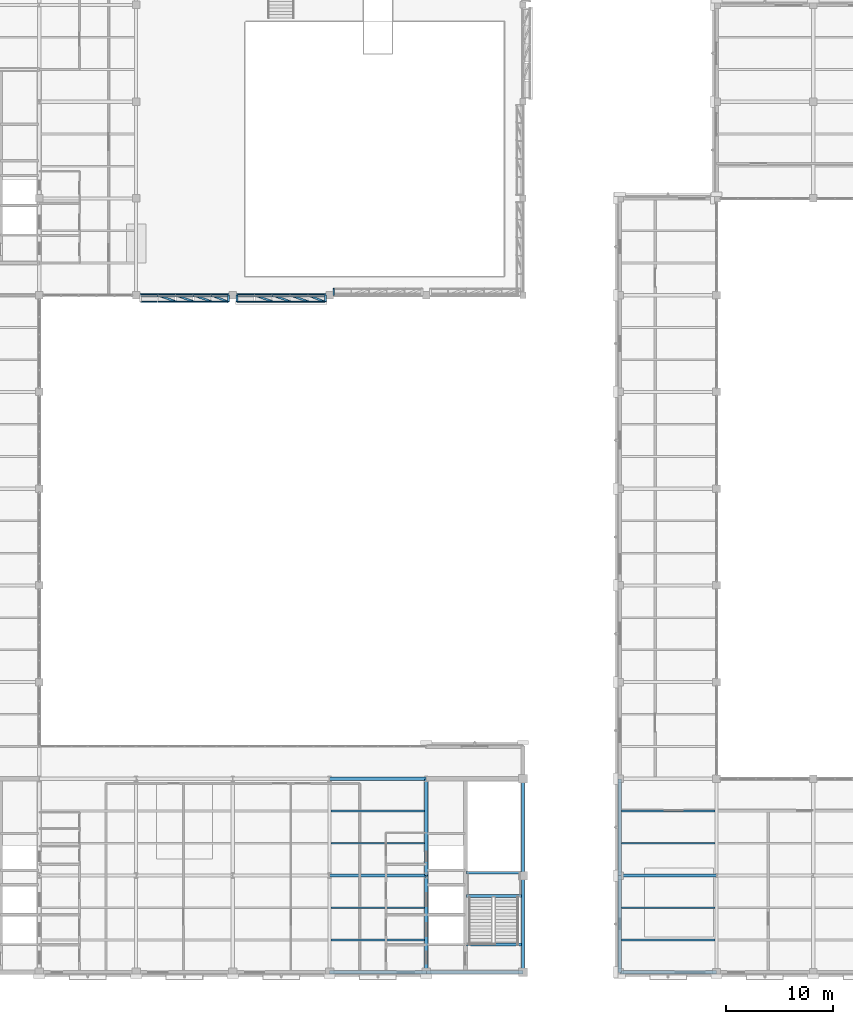
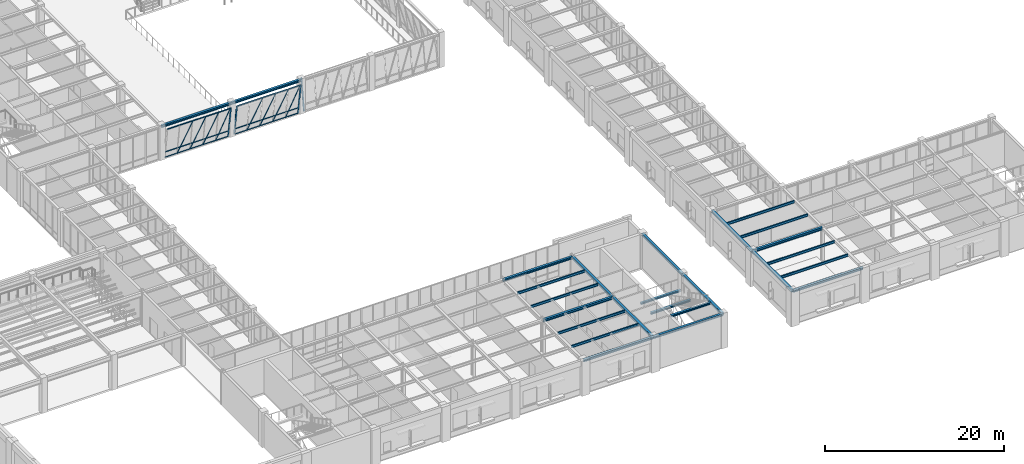
# One storey, part 26 of 98: 42 members, 25 beams, 3 elements without a shape of their own.
"""IFC4 building model written with IfcOpenShell, lengths in metres."""

from ifc_helpers import new_model, si_unit, direction, frame, origin, origin_2d, place, context, subcontext, project, spatial, hollow_rectangle, i_section, extrude, material, material_profile, profile_set, type_object, element, aggregate, save


model = new_model("IFC4")

# Units and contexts
model_context = context("Model", 3, precision=1e-05, world=origin(), true_north=direction((0.0, 1.0)))
body_context = subcontext(model_context, "Body", "Model", "MODEL_VIEW")
ifc_project = project(units=[si_unit("LENGTHUNIT", "METRE"), si_unit("AREAUNIT", "SQUARE_METRE"), si_unit("VOLUMEUNIT", "CUBIC_METRE"), si_unit("PLANEANGLEUNIT", "RADIAN"), si_unit("MASSUNIT", "GRAM", prefix="KILO")], contexts=[model_context])

# Site, building, storey
site_placement = place(None, origin())
site = spatial("IfcSite", under=ifc_project, at=site_placement, CompositionType="ELEMENT")
building_placement = place(site_placement, origin())
building = spatial("IfcBuilding", under=site, at=building_placement, Name="Lykobir Media Centre", CompositionType="ELEMENT")
storey_placement = place(building_placement, frame((0.0, 0.0, 10.199951171875)))
storey = spatial("IfcBuildingStorey", under=building, at=storey_placement, Name="L02", CompositionType="ELEMENT", Elevation=10.199951171875)

# Beams
ifc_material_1 = material(Name="Steel S355", Category="steel")
ifc_material_profile_1 = material_profile(ifc_material_1, i_section(OverallWidth=0.300048828125, OverallDepth=0.330078125, WebThickness=0.009521484375, FlangeThickness=0.0166015625, at=origin_2d()), Name="HEA 340")
ifc_profile_set_1 = profile_set([ifc_material_profile_1], Name="Steel S355")
beam_type_1 = type_object("IfcBeamType", Name="BM-HEA340", PredefinedType="BEAM", material=ifc_profile_set_1)
for number, where, z_axis, x_axis, name in (
    (1, (72.0, 0.0, 4.39501953125), (0.0, 1.0, 0.0), (-1.0, 0.0, 0.0), "Beam BM-L02-0720-0000-0720-0090-1460"),
    (2, (72.0, 9.0, 4.39501953125), (0.0, 1.0, 0.0), (-1.0, 0.0, 0.0), "Beam BM-L02-0720-0090-0720-0180-1460"),
):
    element("IfcBeam", number, at=place(storey_placement, frame(where, z_axis=z_axis, x_axis=x_axis)), inside=storey, type_object=beam_type_1, Name=name, PredefinedType="BEAM", context=body_context, shape_type="SweptSolid", body=[
        extrude(i_section(OverallWidth=0.300048828125, OverallDepth=0.330078125, WebThickness=0.009521484375, FlangeThickness=0.0166015625, at=origin_2d()), origin(), (0.0, 0.0, 1.0), 9.0),
    ])
ifc_material_profile_2 = material_profile(ifc_material_1, i_section(OverallWidth=0.300048828125, OverallDepth=0.35009765625, WebThickness=0.010009765625, FlangeThickness=0.017578125, at=origin_2d()), Name="HEA 360")
ifc_profile_set_2 = profile_set([ifc_material_profile_2], Name="Steel S355")
beam_type_2 = type_object("IfcBeamType", Name="BM-HEA360", PredefinedType="BEAM", material=ifc_profile_set_2)
for number, where, z_axis, x_axis, name in (
    (3, (63.0, 9.0, 4.385009765625), (1.0, 0.0, 0.0), (0.0, 1.0, 0.0), "Beam BM-L02-0630-0090-0720-0090-1458"),
    (4, (90.0, 9.0, 4.385009765625), (1.0, 0.0, 0.0), (0.0, 1.0, 0.0), "Beam BM-L02-0900-0090-0990-0090-1458"),
):
    element("IfcBeam", number, at=place(storey_placement, frame(where, z_axis=z_axis, x_axis=x_axis)), inside=storey, type_object=beam_type_2, Name=name, PredefinedType="BEAM", context=body_context, shape_type="SweptSolid", body=[
        extrude(i_section(OverallWidth=0.300048828125, OverallDepth=0.35009765625, WebThickness=0.010009765625, FlangeThickness=0.017578125, at=origin_2d()), origin(), (0.0, 0.0, 1.0), 9.0),
    ])
ifc_material_profile_3 = material_profile(ifc_material_1, i_section(OverallWidth=0.260009765625, OverallDepth=0.25, WebThickness=0.007568359375, FlangeThickness=0.012451171875, at=origin_2d()), Name="HEA 260")
ifc_profile_set_3 = profile_set([ifc_material_profile_3], Name="Steel S355")
beam_type_3 = type_object("IfcBeamType", Name="BM-ST260", PredefinedType="BEAM", material=ifc_profile_set_3)
beam_placement = place(storey_placement, frame((75.72998046875, 9.280029296875, 2.080078125), z_axis=(1.0, 0.0, 0.0), x_axis=(0.0, 1.0, 0.0)))
element("IfcBeam", 5, at=beam_placement, inside=storey, type_object=beam_type_3, Name="ST-2 L02 half-landing support beam", PredefinedType="BEAM", context=body_context, shape_type="SweptSolid", body=[
    extrude(i_section(OverallWidth=0.260009765625, OverallDepth=0.25, WebThickness=0.007568359375, FlangeThickness=0.012451171875, at=origin_2d()), origin(), (0.0, 0.0, 1.0), 5.14013671875),
])
ifc_material_profile_4 = material_profile(ifc_material_1, i_section(OverallWidth=0.280029296875, OverallDepth=0.27001953125, WebThickness=0.008056640625, FlangeThickness=0.012939453125, at=origin_2d()), Name="HEA 280")
ifc_profile_set_4 = profile_set([ifc_material_profile_4], Name="Steel S355")
beam_type_4 = type_object("IfcBeamType", Name="BM-ST280", PredefinedType="BEAM", material=ifc_profile_set_4)
for number, where, z_axis, x_axis, name in (
    (6, (75.72998046875, 2.580078125, 4.425048828125), (1.0, 0.0, 0.0), (0.0, 1.0, 0.0), "ST-2 L02 arrival trimmer beam"),
    (7, (75.72998046875, 7.080078125, 2.070068359375), (1.0, 0.0, 0.0), (0.0, 1.0, 0.0), "ST-2 L02 mid-landing trimmer beam"),
):
    element("IfcBeam", number, at=place(storey_placement, frame(where, z_axis=z_axis, x_axis=x_axis)), inside=storey, type_object=beam_type_4, Name=name, PredefinedType="BEAM", context=body_context, shape_type="SweptSolid", body=[
        extrude(i_section(OverallWidth=0.280029296875, OverallDepth=0.27001953125, WebThickness=0.008056640625, FlangeThickness=0.012939453125, at=origin_2d()), origin(), (0.0, 0.0, 1.0), 5.14013671875),
    ])

# Curtain wall, members
ifc_material_2 = material(Name="Anodized Aluminium AW-6060", Category="aluminium")
curtain_wall_type = type_object("IfcCurtainWallType", Name="CW-V6-CR2", PredefinedType="NOTDEFINED", material=ifc_material_2)
curtain_wall_1_placement = place(storey_placement, origin())
curtain_wall_1 = element("IfcCurtainWall", 8, at=curtain_wall_1_placement, inside=storey, type_object=curtain_wall_type, Name="Curtain wall CW2-L02-0083", PredefinedType="NOTDEFINED")
ifc_material_profile_5 = material_profile(ifc_material_2, hollow_rectangle(XDim=0.074951171875, YDim=0.179931640625, WallThickness=0.00390625, at=origin_2d()), Name="ALU MULLION 75x180")
ifc_profile_set_5 = profile_set([ifc_material_profile_5], Name="Anodized Aluminium AW-6060")
member_type_1 = type_object("IfcMemberType", Name="CWM-180", PredefinedType="MULLION", material=ifc_profile_set_5)
member_1_placement = place(storey_placement, frame((47.012939453125, 63.0, 0.0), z_axis=(0.374604193598, -0.132256811749, 0.917703565365), x_axis=(-0.86535400057, 0.305519700808, 0.397265863265)))
member_1 = element("IfcMember", 9, at=member_1_placement, type_object=member_type_1, Name="CW2-L02-0083 mullion 2", PredefinedType="MULLION", context=body_context, shape_type="SweptSolid", body=[
    extrude(hollow_rectangle(XDim=0.074951171875, YDim=0.179931640625, WallThickness=0.00390625, at=origin_2d()), origin(), (0.0, 0.0, 1.0), 4.614990234375),
])
member_2_placement = place(storey_placement, frame((48.6708984375, 63.0, 0.0), z_axis=(0.374604193598, -0.132256811749, 0.917703565365), x_axis=(-0.86535400057, 0.305519700808, 0.397265863265)))
member_2 = element("IfcMember", 10, at=member_2_placement, type_object=member_type_1, Name="CW2-L02-0083 mullion 3", PredefinedType="MULLION", context=body_context, shape_type="SweptSolid", body=[
    extrude(hollow_rectangle(XDim=0.074951171875, YDim=0.179931640625, WallThickness=0.00390625, at=origin_2d()), origin(), (0.0, 0.0, 1.0), 4.614990234375),
])
member_3_placement = place(storey_placement, frame((50.3291015625, 63.0, 0.0), z_axis=(0.374558713271, -0.132259432652, 0.917721751288), x_axis=(-0.865357601466, 0.305564124811, 0.397223850257)))
member_3 = element("IfcMember", 11, at=member_3_placement, type_object=member_type_1, Name="CW2-L02-0083 mullion 4", PredefinedType="MULLION", context=body_context, shape_type="SweptSolid", body=[
    extrude(hollow_rectangle(XDim=0.074951171875, YDim=0.179931640625, WallThickness=0.00390625, at=origin_2d()), origin(), (0.0, 0.0, 1.0), 4.61474609375),
])
member_4_placement = place(storey_placement, frame((51.987060546875, 63.0, 0.0), z_axis=(0.339696067338, -0.134161164036, 0.930917485011), x_axis=(-0.865836279021, 0.34195745617, 0.365229566301)))
member_4 = element("IfcMember", 12, at=member_4_placement, type_object=member_type_1, Name="CW2-L02-0083 mullion 5", PredefinedType="MULLION", context=body_context, shape_type="SweptSolid", body=[
    extrude(hollow_rectangle(XDim=0.074951171875, YDim=0.179931640625, WallThickness=0.00390625, at=origin_2d()), origin(), (0.0, 0.0, 1.0), 4.54931640625),
])
member_5_placement = place(storey_placement, frame((53.607421875, 63.0, 0.0), z_axis=(0.0, -0.142643417261, 0.989774143687), x_axis=(0.0, 0.989774143687, 0.142643417261)))
member_5 = element("IfcMember", 13, at=member_5_placement, type_object=member_type_1, Name="CW2-L02-0083 mullion 6", PredefinedType="MULLION", context=body_context, shape_type="SweptSolid", body=[
    extrude(hollow_rectangle(XDim=0.074951171875, YDim=0.179931640625, WallThickness=0.00390625, at=origin_2d()), origin(), (0.0, 0.0, 1.0), 4.27880859375),
])

curtain_wall_2_placement = place(storey_placement, origin())
curtain_wall_2 = element("IfcCurtainWall", 14, at=curtain_wall_2_placement, inside=storey, type_object=curtain_wall_type, Name="Curtain wall CW2-L02-0084", PredefinedType="NOTDEFINED")
member_6_placement = place(storey_placement, frame((54.392578125, 63.0, 0.0), z_axis=(0.0, -0.142643417261, 0.989774143687), x_axis=(0.0, 0.989774143687, 0.142643417261)))
member_6 = element("IfcMember", 15, at=member_6_placement, type_object=member_type_1, Name="CW2-L02-0084 mullion 1", PredefinedType="MULLION", context=body_context, shape_type="SweptSolid", body=[
    extrude(hollow_rectangle(XDim=0.074951171875, YDim=0.179931640625, WallThickness=0.00390625, at=origin_2d()), origin(), (0.0, 0.0, 1.0), 4.27880859375),
])
member_7_placement = place(storey_placement, frame((56.012939453125, 63.0, 0.0), z_axis=(0.374604193598, -0.132256811749, 0.917703565365), x_axis=(-0.86535400057, 0.305519700808, 0.397265863265)))
member_7 = element("IfcMember", 16, at=member_7_placement, type_object=member_type_1, Name="CW2-L02-0084 mullion 2", PredefinedType="MULLION", context=body_context, shape_type="SweptSolid", body=[
    extrude(hollow_rectangle(XDim=0.074951171875, YDim=0.179931640625, WallThickness=0.00390625, at=origin_2d()), origin(), (0.0, 0.0, 1.0), 4.614990234375),
])
member_8_placement = place(storey_placement, frame((57.6708984375, 63.0, 0.0), z_axis=(0.374604193598, -0.132256811749, 0.917703565365), x_axis=(-0.86535400057, 0.305519700808, 0.397265863265)))
member_8 = element("IfcMember", 17, at=member_8_placement, type_object=member_type_1, Name="CW2-L02-0084 mullion 3", PredefinedType="MULLION", context=body_context, shape_type="SweptSolid", body=[
    extrude(hollow_rectangle(XDim=0.074951171875, YDim=0.179931640625, WallThickness=0.00390625, at=origin_2d()), origin(), (0.0, 0.0, 1.0), 4.614990234375),
])
member_9_placement = place(storey_placement, frame((59.3291015625, 63.0, 0.0), z_axis=(0.374558713271, -0.132259432652, 0.917721751288), x_axis=(-0.865357601466, 0.305564124811, 0.397223850257)))
member_9 = element("IfcMember", 18, at=member_9_placement, type_object=member_type_1, Name="CW2-L02-0084 mullion 4", PredefinedType="MULLION", context=body_context, shape_type="SweptSolid", body=[
    extrude(hollow_rectangle(XDim=0.074951171875, YDim=0.179931640625, WallThickness=0.00390625, at=origin_2d()), origin(), (0.0, 0.0, 1.0), 4.61474609375),
])
member_10_placement = place(storey_placement, frame((60.987060546875, 63.0, 0.0), z_axis=(0.339696067338, -0.134161164036, 0.930917485011), x_axis=(-0.865836279021, 0.34195745617, 0.365229566301)))
member_10 = element("IfcMember", 19, at=member_10_placement, type_object=member_type_1, Name="CW2-L02-0084 mullion 5", PredefinedType="MULLION", context=body_context, shape_type="SweptSolid", body=[
    extrude(hollow_rectangle(XDim=0.074951171875, YDim=0.179931640625, WallThickness=0.00390625, at=origin_2d()), origin(), (0.0, 0.0, 1.0), 4.54931640625),
])
member_11_placement = place(storey_placement, frame((62.607421875, 63.0, 0.0), z_axis=(0.0, -0.142643417261, 0.989774143687), x_axis=(0.0, 0.989774143687, 0.142643417261)))
member_11 = element("IfcMember", 20, at=member_11_placement, type_object=member_type_1, Name="CW2-L02-0084 mullion 6", PredefinedType="MULLION", context=body_context, shape_type="SweptSolid", body=[
    extrude(hollow_rectangle(XDim=0.074951171875, YDim=0.179931640625, WallThickness=0.00390625, at=origin_2d()), origin(), (0.0, 0.0, 1.0), 4.27880859375),
])

# Curtain wall, member
curtain_wall_3_placement = place(storey_placement, origin())
curtain_wall_3 = element("IfcCurtainWall", 21, at=curtain_wall_3_placement, inside=storey, type_object=curtain_wall_type, Name="Curtain wall CW2-L02-0085", PredefinedType="NOTDEFINED")
member_12_placement = place(storey_placement, frame((63.392578125, 63.0, 0.0), z_axis=(0.0, 0.142643417261, 0.989774143687), x_axis=(0.0, 0.989774143687, -0.142643417261)))
member_12 = element("IfcMember", 22, at=member_12_placement, type_object=member_type_1, Name="CW2-L02-0085 mullion 6", PredefinedType="MULLION", context=body_context, shape_type="SweptSolid", body=[
    extrude(hollow_rectangle(XDim=0.074951171875, YDim=0.179931640625, WallThickness=0.00390625, at=origin_2d()), origin(), (0.0, 0.0, 1.0), 4.27880859375),
])
aggregate(curtain_wall_3, [member_12])

# Member
ifc_material_profile_6 = material_profile(ifc_material_2, hollow_rectangle(XDim=0.074951171875, YDim=0.14990234375, WallThickness=0.00341796875, at=origin_2d()), Name="ALU TRANSOM 75x150")
ifc_profile_set_6 = profile_set([ifc_material_profile_6], Name="Anodized Aluminium AW-6060")
member_type_2 = type_object("IfcMemberType", Name="CWT-150", PredefinedType="USERDEFINED", material=ifc_profile_set_6)
member_13_placement = place(storey_placement, frame((45.429931640625, 62.99462890625, 0.037109375), z_axis=(1.0, 0.0, 0.0), x_axis=(0.0, 0.989776230908, 0.142628933706)))
member_13 = element("IfcMember", 23, at=member_13_placement, type_object=member_type_2, Name="CW2-L02-0083 transom 1.1", ObjectType="TRANSOM", PredefinedType="USERDEFINED", context=body_context, shape_type="SweptSolid", body=[
    extrude(hollow_rectangle(XDim=0.074951171875, YDim=0.14990234375, WallThickness=0.00341796875, at=origin_2d()), origin(), (0.0, 0.0, 1.0), 1.545654296875),
])

member_14_placement = place(storey_placement, frame((45.429931640625, 62.87890625, 0.84130859375), z_axis=(1.0, 0.0, 0.0), x_axis=(0.0, 0.989776230908, 0.142628933706)))
member_14 = element("IfcMember", 24, at=member_14_placement, type_object=member_type_2, Name="CW2-L02-0083 transom 1.2", ObjectType="TRANSOM", PredefinedType="USERDEFINED", context=body_context, shape_type="SweptSolid", body=[
    extrude(hollow_rectangle(XDim=0.074951171875, YDim=0.14990234375, WallThickness=0.00341796875, at=origin_2d()), origin(), (0.0, 0.0, 1.0), 1.545654296875),
])

member_15_placement = place(storey_placement, frame((45.429931640625, 62.39501953125, 4.19775390625), z_axis=(1.0, 0.0, 0.0), x_axis=(0.0, 0.989776230908, 0.142628933706)))
member_15 = element("IfcMember", 25, at=member_15_placement, type_object=member_type_2, Name="CW2-L02-0083 transom 1.3", ObjectType="TRANSOM", PredefinedType="USERDEFINED", context=body_context, shape_type="SweptSolid", body=[
    extrude(hollow_rectangle(XDim=0.074951171875, YDim=0.14990234375, WallThickness=0.00341796875, at=origin_2d()), origin(), (0.0, 0.0, 1.0), 1.545654296875),
])

member_16_placement = place(storey_placement, frame((47.050537109375, 62.99462890625, 0.037109375), z_axis=(1.0, 0.0, 0.0), x_axis=(0.0, 0.989776230908, 0.142628933706)))
member_16 = element("IfcMember", 26, at=member_16_placement, type_object=member_type_2, Name="CW2-L02-0083 transom 2.1", ObjectType="TRANSOM", PredefinedType="USERDEFINED", context=body_context, shape_type="SweptSolid", body=[
    extrude(hollow_rectangle(XDim=0.074951171875, YDim=0.14990234375, WallThickness=0.00341796875, at=origin_2d()), origin(), (0.0, 0.0, 1.0), 1.5830078125),
])

member_17_placement = place(storey_placement, frame((47.050537109375, 62.87890625, 0.84130859375), z_axis=(1.0, 0.0, 0.0), x_axis=(0.0, 0.989776230908, 0.142628933706)))
member_17 = element("IfcMember", 27, at=member_17_placement, type_object=member_type_2, Name="CW2-L02-0083 transom 2.2", ObjectType="TRANSOM", PredefinedType="USERDEFINED", context=body_context, shape_type="SweptSolid", body=[
    extrude(hollow_rectangle(XDim=0.074951171875, YDim=0.14990234375, WallThickness=0.00341796875, at=origin_2d()), origin(), (0.0, 0.0, 1.0), 1.5830078125),
])

member_18_placement = place(storey_placement, frame((47.050537109375, 62.39501953125, 4.19775390625), z_axis=(1.0, 0.0, 0.0), x_axis=(0.0, 0.989776230908, 0.142628933706)))
member_18 = element("IfcMember", 28, at=member_18_placement, type_object=member_type_2, Name="CW2-L02-0083 transom 2.3", ObjectType="TRANSOM", PredefinedType="USERDEFINED", context=body_context, shape_type="SweptSolid", body=[
    extrude(hollow_rectangle(XDim=0.074951171875, YDim=0.14990234375, WallThickness=0.00341796875, at=origin_2d()), origin(), (0.0, 0.0, 1.0), 1.5830078125),
])

member_19_placement = place(storey_placement, frame((48.70849609375, 62.99462890625, 0.037109375), z_axis=(1.0, 0.0, 0.0), x_axis=(0.0, 0.989776230908, 0.142628933706)))
member_19 = element("IfcMember", 29, at=member_19_placement, type_object=member_type_2, Name="CW2-L02-0083 transom 3.1", ObjectType="TRANSOM", PredefinedType="USERDEFINED", context=body_context, shape_type="SweptSolid", body=[
    extrude(hollow_rectangle(XDim=0.074951171875, YDim=0.14990234375, WallThickness=0.00341796875, at=origin_2d()), origin(), (0.0, 0.0, 1.0), 1.5830078125),
])

member_20_placement = place(storey_placement, frame((48.70849609375, 62.87890625, 0.84130859375), z_axis=(1.0, 0.0, 0.0), x_axis=(0.0, 0.989776230908, 0.142628933706)))
member_20 = element("IfcMember", 30, at=member_20_placement, type_object=member_type_2, Name="CW2-L02-0083 transom 3.2", ObjectType="TRANSOM", PredefinedType="USERDEFINED", context=body_context, shape_type="SweptSolid", body=[
    extrude(hollow_rectangle(XDim=0.074951171875, YDim=0.14990234375, WallThickness=0.00341796875, at=origin_2d()), origin(), (0.0, 0.0, 1.0), 1.5830078125),
])

member_21_placement = place(storey_placement, frame((48.70849609375, 62.39501953125, 4.19775390625), z_axis=(1.0, 0.0, 0.0), x_axis=(0.0, 0.989776230908, 0.142628933706)))
member_21 = element("IfcMember", 31, at=member_21_placement, type_object=member_type_2, Name="CW2-L02-0083 transom 3.3", ObjectType="TRANSOM", PredefinedType="USERDEFINED", context=body_context, shape_type="SweptSolid", body=[
    extrude(hollow_rectangle(XDim=0.074951171875, YDim=0.14990234375, WallThickness=0.00341796875, at=origin_2d()), origin(), (0.0, 0.0, 1.0), 1.5830078125),
])

member_22_placement = place(storey_placement, frame((50.366455078125, 62.99462890625, 0.037109375), z_axis=(1.0, 0.0, 0.0), x_axis=(0.0, 0.989776230908, 0.142628933706)))
member_22 = element("IfcMember", 32, at=member_22_placement, type_object=member_type_2, Name="CW2-L02-0083 transom 4.1", ObjectType="TRANSOM", PredefinedType="USERDEFINED", context=body_context, shape_type="SweptSolid", body=[
    extrude(hollow_rectangle(XDim=0.074951171875, YDim=0.14990234375, WallThickness=0.00341796875, at=origin_2d()), origin(), (0.0, 0.0, 1.0), 1.5830078125),
])

member_23_placement = place(storey_placement, frame((50.366455078125, 62.87890625, 0.84130859375), z_axis=(1.0, 0.0, 0.0), x_axis=(0.0, 0.989776230908, 0.142628933706)))
member_23 = element("IfcMember", 33, at=member_23_placement, type_object=member_type_2, Name="CW2-L02-0083 transom 4.2", ObjectType="TRANSOM", PredefinedType="USERDEFINED", context=body_context, shape_type="SweptSolid", body=[
    extrude(hollow_rectangle(XDim=0.074951171875, YDim=0.14990234375, WallThickness=0.00341796875, at=origin_2d()), origin(), (0.0, 0.0, 1.0), 1.5830078125),
])

member_24_placement = place(storey_placement, frame((50.366455078125, 62.39501953125, 4.19775390625), z_axis=(1.0, 0.0, 0.0), x_axis=(0.0, 0.989776230908, 0.142628933706)))
member_24 = element("IfcMember", 34, at=member_24_placement, type_object=member_type_2, Name="CW2-L02-0083 transom 4.3", ObjectType="TRANSOM", PredefinedType="USERDEFINED", context=body_context, shape_type="SweptSolid", body=[
    extrude(hollow_rectangle(XDim=0.074951171875, YDim=0.14990234375, WallThickness=0.00341796875, at=origin_2d()), origin(), (0.0, 0.0, 1.0), 1.5830078125),
])

member_25_placement = place(storey_placement, frame((52.0244140625, 62.99462890625, 0.037109375), z_axis=(1.0, 0.0, 0.0), x_axis=(0.0, 0.989776230908, 0.142628933706)))
member_25 = element("IfcMember", 35, at=member_25_placement, type_object=member_type_2, Name="CW2-L02-0083 transom 5.1", ObjectType="TRANSOM", PredefinedType="USERDEFINED", context=body_context, shape_type="SweptSolid", body=[
    extrude(hollow_rectangle(XDim=0.074951171875, YDim=0.14990234375, WallThickness=0.00341796875, at=origin_2d()), origin(), (0.0, 0.0, 1.0), 1.545654296875),
])

member_26_placement = place(storey_placement, frame((52.0244140625, 62.87890625, 0.84130859375), z_axis=(1.0, 0.0, 0.0), x_axis=(0.0, 0.989776230908, 0.142628933706)))
member_26 = element("IfcMember", 36, at=member_26_placement, type_object=member_type_2, Name="CW2-L02-0083 transom 5.2", ObjectType="TRANSOM", PredefinedType="USERDEFINED", context=body_context, shape_type="SweptSolid", body=[
    extrude(hollow_rectangle(XDim=0.074951171875, YDim=0.14990234375, WallThickness=0.00341796875, at=origin_2d()), origin(), (0.0, 0.0, 1.0), 1.545654296875),
])

member_27_placement = place(storey_placement, frame((52.0244140625, 62.39501953125, 4.19775390625), z_axis=(1.0, 0.0, 0.0), x_axis=(0.0, 0.989776230908, 0.142628933706)))
member_27 = element("IfcMember", 37, at=member_27_placement, type_object=member_type_2, Name="CW2-L02-0083 transom 5.3", ObjectType="TRANSOM", PredefinedType="USERDEFINED", context=body_context, shape_type="SweptSolid", body=[
    extrude(hollow_rectangle(XDim=0.074951171875, YDim=0.14990234375, WallThickness=0.00341796875, at=origin_2d()), origin(), (0.0, 0.0, 1.0), 1.545654296875),
])

aggregate(curtain_wall_1, [member_1, member_2, member_3, member_4, member_5, member_13, member_14, member_15, member_16, member_17, member_18, member_19, member_20, member_21, member_22, member_23, member_24, member_25, member_26, member_27])

member_28_placement = place(storey_placement, frame((54.429931640625, 62.99462890625, 0.037109375), z_axis=(1.0, 0.0, 0.0), x_axis=(0.0, 0.989776230908, 0.142628933706)))
member_28 = element("IfcMember", 38, at=member_28_placement, type_object=member_type_2, Name="CW2-L02-0084 transom 1.1", ObjectType="TRANSOM", PredefinedType="USERDEFINED", context=body_context, shape_type="SweptSolid", body=[
    extrude(hollow_rectangle(XDim=0.074951171875, YDim=0.14990234375, WallThickness=0.00341796875, at=origin_2d()), origin(), (0.0, 0.0, 1.0), 1.545654296875),
])

member_29_placement = place(storey_placement, frame((54.429931640625, 62.87890625, 0.84130859375), z_axis=(1.0, 0.0, 0.0), x_axis=(0.0, 0.989776230908, 0.142628933706)))
member_29 = element("IfcMember", 39, at=member_29_placement, type_object=member_type_2, Name="CW2-L02-0084 transom 1.2", ObjectType="TRANSOM", PredefinedType="USERDEFINED", context=body_context, shape_type="SweptSolid", body=[
    extrude(hollow_rectangle(XDim=0.074951171875, YDim=0.14990234375, WallThickness=0.00341796875, at=origin_2d()), origin(), (0.0, 0.0, 1.0), 1.545654296875),
])

member_30_placement = place(storey_placement, frame((54.429931640625, 62.39501953125, 4.19775390625), z_axis=(1.0, 0.0, 0.0), x_axis=(0.0, 0.989776230908, 0.142628933706)))
member_30 = element("IfcMember", 40, at=member_30_placement, type_object=member_type_2, Name="CW2-L02-0084 transom 1.3", ObjectType="TRANSOM", PredefinedType="USERDEFINED", context=body_context, shape_type="SweptSolid", body=[
    extrude(hollow_rectangle(XDim=0.074951171875, YDim=0.14990234375, WallThickness=0.00341796875, at=origin_2d()), origin(), (0.0, 0.0, 1.0), 1.545654296875),
])

member_31_placement = place(storey_placement, frame((56.050537109375, 62.99462890625, 0.037109375), z_axis=(1.0, 0.0, 0.0), x_axis=(0.0, 0.989776230908, 0.142628933706)))
member_31 = element("IfcMember", 41, at=member_31_placement, type_object=member_type_2, Name="CW2-L02-0084 transom 2.1", ObjectType="TRANSOM", PredefinedType="USERDEFINED", context=body_context, shape_type="SweptSolid", body=[
    extrude(hollow_rectangle(XDim=0.074951171875, YDim=0.14990234375, WallThickness=0.00341796875, at=origin_2d()), origin(), (0.0, 0.0, 1.0), 1.5830078125),
])

member_32_placement = place(storey_placement, frame((56.050537109375, 62.87890625, 0.84130859375), z_axis=(1.0, 0.0, 0.0), x_axis=(0.0, 0.989776230908, 0.142628933706)))
member_32 = element("IfcMember", 42, at=member_32_placement, type_object=member_type_2, Name="CW2-L02-0084 transom 2.2", ObjectType="TRANSOM", PredefinedType="USERDEFINED", context=body_context, shape_type="SweptSolid", body=[
    extrude(hollow_rectangle(XDim=0.074951171875, YDim=0.14990234375, WallThickness=0.00341796875, at=origin_2d()), origin(), (0.0, 0.0, 1.0), 1.5830078125),
])

member_33_placement = place(storey_placement, frame((56.050537109375, 62.39501953125, 4.19775390625), z_axis=(1.0, 0.0, 0.0), x_axis=(0.0, 0.989776230908, 0.142628933706)))
member_33 = element("IfcMember", 43, at=member_33_placement, type_object=member_type_2, Name="CW2-L02-0084 transom 2.3", ObjectType="TRANSOM", PredefinedType="USERDEFINED", context=body_context, shape_type="SweptSolid", body=[
    extrude(hollow_rectangle(XDim=0.074951171875, YDim=0.14990234375, WallThickness=0.00341796875, at=origin_2d()), origin(), (0.0, 0.0, 1.0), 1.5830078125),
])

member_34_placement = place(storey_placement, frame((57.70849609375, 62.99462890625, 0.037109375), z_axis=(1.0, 0.0, 0.0), x_axis=(0.0, 0.989776230908, 0.142628933706)))
member_34 = element("IfcMember", 44, at=member_34_placement, type_object=member_type_2, Name="CW2-L02-0084 transom 3.1", ObjectType="TRANSOM", PredefinedType="USERDEFINED", context=body_context, shape_type="SweptSolid", body=[
    extrude(hollow_rectangle(XDim=0.074951171875, YDim=0.14990234375, WallThickness=0.00341796875, at=origin_2d()), origin(), (0.0, 0.0, 1.0), 1.5830078125),
])

member_35_placement = place(storey_placement, frame((57.70849609375, 62.87890625, 0.84130859375), z_axis=(1.0, 0.0, 0.0), x_axis=(0.0, 0.989776230908, 0.142628933706)))
member_35 = element("IfcMember", 45, at=member_35_placement, type_object=member_type_2, Name="CW2-L02-0084 transom 3.2", ObjectType="TRANSOM", PredefinedType="USERDEFINED", context=body_context, shape_type="SweptSolid", body=[
    extrude(hollow_rectangle(XDim=0.074951171875, YDim=0.14990234375, WallThickness=0.00341796875, at=origin_2d()), origin(), (0.0, 0.0, 1.0), 1.5830078125),
])

member_36_placement = place(storey_placement, frame((57.70849609375, 62.39501953125, 4.19775390625), z_axis=(1.0, 0.0, 0.0), x_axis=(0.0, 0.989776230908, 0.142628933706)))
member_36 = element("IfcMember", 46, at=member_36_placement, type_object=member_type_2, Name="CW2-L02-0084 transom 3.3", ObjectType="TRANSOM", PredefinedType="USERDEFINED", context=body_context, shape_type="SweptSolid", body=[
    extrude(hollow_rectangle(XDim=0.074951171875, YDim=0.14990234375, WallThickness=0.00341796875, at=origin_2d()), origin(), (0.0, 0.0, 1.0), 1.5830078125),
])

member_37_placement = place(storey_placement, frame((59.366455078125, 62.99462890625, 0.037109375), z_axis=(1.0, 0.0, 0.0), x_axis=(0.0, 0.989776230908, 0.142628933706)))
member_37 = element("IfcMember", 47, at=member_37_placement, type_object=member_type_2, Name="CW2-L02-0084 transom 4.1", ObjectType="TRANSOM", PredefinedType="USERDEFINED", context=body_context, shape_type="SweptSolid", body=[
    extrude(hollow_rectangle(XDim=0.074951171875, YDim=0.14990234375, WallThickness=0.00341796875, at=origin_2d()), origin(), (0.0, 0.0, 1.0), 1.5830078125),
])

member_38_placement = place(storey_placement, frame((59.366455078125, 62.87890625, 0.84130859375), z_axis=(1.0, 0.0, 0.0), x_axis=(0.0, 0.989776230908, 0.142628933706)))
member_38 = element("IfcMember", 48, at=member_38_placement, type_object=member_type_2, Name="CW2-L02-0084 transom 4.2", ObjectType="TRANSOM", PredefinedType="USERDEFINED", context=body_context, shape_type="SweptSolid", body=[
    extrude(hollow_rectangle(XDim=0.074951171875, YDim=0.14990234375, WallThickness=0.00341796875, at=origin_2d()), origin(), (0.0, 0.0, 1.0), 1.5830078125),
])

member_39_placement = place(storey_placement, frame((59.366455078125, 62.39501953125, 4.19775390625), z_axis=(1.0, 0.0, 0.0), x_axis=(0.0, 0.989776230908, 0.142628933706)))
member_39 = element("IfcMember", 49, at=member_39_placement, type_object=member_type_2, Name="CW2-L02-0084 transom 4.3", ObjectType="TRANSOM", PredefinedType="USERDEFINED", context=body_context, shape_type="SweptSolid", body=[
    extrude(hollow_rectangle(XDim=0.074951171875, YDim=0.14990234375, WallThickness=0.00341796875, at=origin_2d()), origin(), (0.0, 0.0, 1.0), 1.5830078125),
])

member_40_placement = place(storey_placement, frame((61.0244140625, 62.99462890625, 0.037109375), z_axis=(1.0, 0.0, 0.0), x_axis=(0.0, 0.989776230908, 0.142628933706)))
member_40 = element("IfcMember", 50, at=member_40_placement, type_object=member_type_2, Name="CW2-L02-0084 transom 5.1", ObjectType="TRANSOM", PredefinedType="USERDEFINED", context=body_context, shape_type="SweptSolid", body=[
    extrude(hollow_rectangle(XDim=0.074951171875, YDim=0.14990234375, WallThickness=0.00341796875, at=origin_2d()), origin(), (0.0, 0.0, 1.0), 1.545654296875),
])

member_41_placement = place(storey_placement, frame((61.0244140625, 62.87890625, 0.84130859375), z_axis=(1.0, 0.0, 0.0), x_axis=(0.0, 0.989776230908, 0.142628933706)))
member_41 = element("IfcMember", 51, at=member_41_placement, type_object=member_type_2, Name="CW2-L02-0084 transom 5.2", ObjectType="TRANSOM", PredefinedType="USERDEFINED", context=body_context, shape_type="SweptSolid", body=[
    extrude(hollow_rectangle(XDim=0.074951171875, YDim=0.14990234375, WallThickness=0.00341796875, at=origin_2d()), origin(), (0.0, 0.0, 1.0), 1.545654296875),
])

member_42_placement = place(storey_placement, frame((61.0244140625, 62.39501953125, 4.19775390625), z_axis=(1.0, 0.0, 0.0), x_axis=(0.0, 0.989776230908, 0.142628933706)))
member_42 = element("IfcMember", 52, at=member_42_placement, type_object=member_type_2, Name="CW2-L02-0084 transom 5.3", ObjectType="TRANSOM", PredefinedType="USERDEFINED", context=body_context, shape_type="SweptSolid", body=[
    extrude(hollow_rectangle(XDim=0.074951171875, YDim=0.14990234375, WallThickness=0.00341796875, at=origin_2d()), origin(), (0.0, 0.0, 1.0), 1.545654296875),
])

aggregate(curtain_wall_2, [member_6, member_7, member_8, member_9, member_10, member_11, member_28, member_29, member_30, member_31, member_32, member_33, member_34, member_35, member_36, member_37, member_38, member_39, member_40, member_41, member_42])

# Beams
ifc_material_profile_7 = material_profile(ifc_material_1, i_section(OverallWidth=0.159912109375, OverallDepth=0.330078125, WebThickness=0.007568359375, FlangeThickness=0.011474609375, at=origin_2d()), Name="IPE 330")
ifc_profile_set_7 = profile_set([ifc_material_profile_7], Name="Steel S355")
beam_type_5 = type_object("IfcBeamType", Name="JS-IPE330", PredefinedType="JOIST", material=ifc_profile_set_7)
for number, where, z_axis, x_axis, name in (
    (53, (63.14990234375, 3.0, 4.39501953125), (1.0, 0.0, 0.0), (0.0, 1.0, 0.0), "Beam BM-L02-0632-0030-0718-0030-1460"),
    (54, (63.14990234375, 6.0, 4.39501953125), (1.0, 0.0, 0.0), (0.0, 1.0, 0.0), "Beam BM-L02-0632-0060-0718-0060-1460"),
    (55, (63.14990234375, 12.0, 4.39501953125), (1.0, 0.0, 0.0), (0.0, 1.0, 0.0), "Beam BM-L02-0632-0120-0718-0120-1460"),
    (56, (63.14990234375, 15.0, 4.39501953125), (1.0, 0.0, 0.0), (0.0, 1.0, 0.0), "Beam BM-L02-0632-0150-0718-0150-1460"),
    (57, (90.14990234375, 3.0, 4.39501953125), (1.0, 0.0, 0.0), (0.0, 1.0, 0.0), "Beam BM-L02-0902-0030-0988-0030-1460"),
    (58, (90.14990234375, 6.0, 4.39501953125), (1.0, 0.0, 0.0), (0.0, 1.0, 0.0), "Beam BM-L02-0902-0060-0988-0060-1460"),
    (59, (90.14990234375, 12.0, 4.39501953125), (1.0, 0.0, 0.0), (0.0, 1.0, 0.0), "Beam BM-L02-0902-0120-0988-0120-1460"),
    (60, (90.14990234375, 15.0, 4.39501953125), (1.0, 0.0, 0.0), (0.0, 1.0, 0.0), "Beam BM-L02-0902-0150-0988-0150-1460"),
):
    element("IfcBeam", number, at=place(storey_placement, frame(where, z_axis=z_axis, x_axis=x_axis)), inside=storey, type_object=beam_type_5, Name=name, PredefinedType="JOIST", context=body_context, shape_type="SweptSolid", body=[
        extrude(i_section(OverallWidth=0.159912109375, OverallDepth=0.330078125, WebThickness=0.007568359375, FlangeThickness=0.011474609375, at=origin_2d()), origin(), (0.0, 0.0, 1.0), 8.7001953125),
    ])
ifc_material_profile_8 = material_profile(ifc_material_1, i_section(OverallWidth=0.300048828125, OverallDepth=0.31005859375, WebThickness=0.009033203125, FlangeThickness=0.015380859375, at=origin_2d()), Name="HEA 320")
ifc_profile_set_8 = profile_set([ifc_material_profile_8], Name="Steel S355")
beam_type_6 = type_object("IfcBeamType", Name="SP-HEA320", PredefinedType="SPANDREL", material=ifc_profile_set_8)
for number, where, z_axis, x_axis, name in (
    (61, (63.0, 18.0, 4.405029296875), (1.0, 0.0, 0.0), (0.0, 1.0, 0.0), "Beam BM-L02-0630-0180-0720-0180-1460"),
    (62, (45.0, 63.0, 4.405029296875), (1.0, 0.0, 0.0), (0.0, 1.0, 0.0), "Beam BM-L02-0450-0630-0540-0630-1460"),
    (63, (54.0, 63.0, 4.405029296875), (1.0, 0.0, 0.0), (0.0, 1.0, 0.0), "Beam BM-L02-0540-0630-0630-0630-1460"),
):
    element("IfcBeam", number, at=place(storey_placement, frame(where, z_axis=z_axis, x_axis=x_axis)), inside=storey, type_object=beam_type_6, Name=name, PredefinedType="SPANDREL", context=body_context, shape_type="SweptSolid", body=[
        extrude(i_section(OverallWidth=0.300048828125, OverallDepth=0.31005859375, WebThickness=0.009033203125, FlangeThickness=0.015380859375, at=origin_2d()), origin(), (0.0, 0.0, 1.0), 9.0),
    ])
ifc_material_profile_9 = material_profile(ifc_material_1, i_section(OverallWidth=0.300048828125, OverallDepth=0.31005859375, WebThickness=0.009033203125, FlangeThickness=0.015380859375, at=origin_2d()), Name="HEA 320")
ifc_profile_set_9 = profile_set([ifc_material_profile_9], Name="Steel S355")
beam_type_7 = type_object("IfcBeamType", Name="SP-HEA320-E", PredefinedType="SPANDREL", material=ifc_profile_set_9)
for number, where, z_axis, x_axis, name in (
    (64, (63.0, 0.0, 4.405029296875), (1.0, 0.0, 0.0), (0.0, 1.0, 0.0), "Beam BM-L02-0630-0000-0720-0000-1460"),
    (65, (72.0, 0.0, 4.405029296875), (1.0, 0.0, 0.0), (0.0, 1.0, 0.0), "Beam BM-L02-0720-0000-0810-0000-1460"),
    (66, (90.0, 0.0, 4.405029296875), (1.0, 0.0, 0.0), (0.0, 1.0, 0.0), "Beam BM-L02-0900-0000-0990-0000-1460"),
    (67, (81.0, 0.0, 4.405029296875), (0.0, 1.0, 0.0), (-1.0, 0.0, 0.0), "Beam BM-L02-0810-0000-0810-0090-1460"),
    (68, (81.0, 9.0, 4.405029296875), (0.0, 1.0, 0.0), (-1.0, 0.0, 0.0), "Beam BM-L02-0810-0090-0810-0180-1460"),
    (69, (90.0, 0.0, 4.405029296875), (0.0, 1.0, 0.0), (-1.0, 0.0, 0.0), "Beam BM-L02-0900-0000-0900-0090-1460"),
    (70, (90.0, 9.0, 4.405029296875), (0.0, 1.0, 0.0), (-1.0, 0.0, 0.0), "Beam BM-L02-0900-0090-0900-0180-1460"),
):
    element("IfcBeam", number, at=place(storey_placement, frame(where, z_axis=z_axis, x_axis=x_axis)), inside=storey, type_object=beam_type_7, Name=name, PredefinedType="SPANDREL", context=body_context, shape_type="SweptSolid", body=[
        extrude(i_section(OverallWidth=0.300048828125, OverallDepth=0.31005859375, WebThickness=0.009033203125, FlangeThickness=0.015380859375, at=origin_2d()), origin(), (0.0, 0.0, 1.0), 9.0),
    ])

save(model, "model.ifc")
